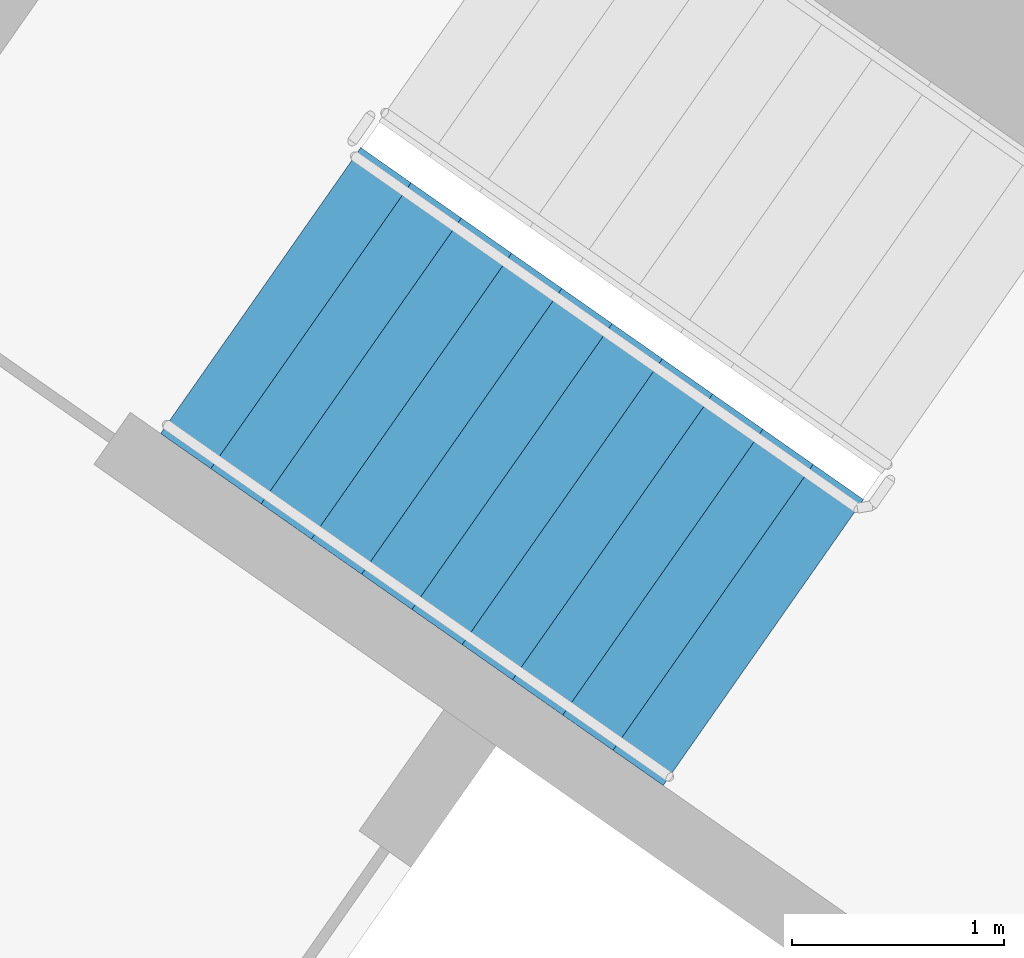
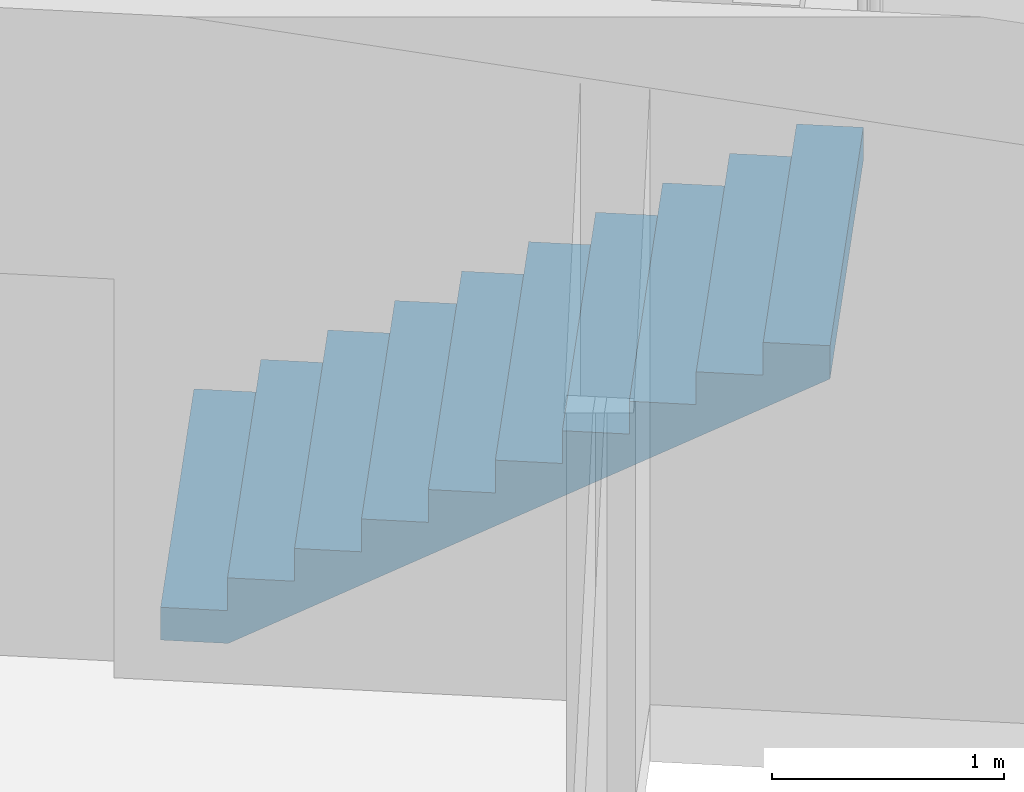
# One storey, part 13 of 26: 1 stair flight, 1 element without a shape of its own.
"""IFC4 building model written with IfcOpenShell, lengths in metres."""

import ifcopenshell
import ifcopenshell.guid

model = None  # the IFC model being written
_history = None  # IfcOwnerHistory: only IFC2X3 demands one
_inside = {}  # id of a spatial element -> (the spatial element, [elements in it])
_under = {}  # id of a project, library or spatial element -> (it, [spatial elements below it])
_declared = {}  # id of a project -> (the project, [libraries it declares])
_typed = {}  # id of a type object -> (the type object, [elements of that type])
_made_of = {}  # id of a material, layer set ... -> (it, [elements and type objects made of it])


def new_model(schema):
    """Start an empty IFC model of exactly this schema.

    Asked for "IFC4X3", IfcOpenShell would pick the latest addendum, in which some entities
    have other attributes; the version numbers below select the first issue.
    IFC2X3 requires an IfcOwnerHistory on every rooted entity: one is made here for all.
    """
    global model, _history
    if schema == "IFC4X3":
        model = ifcopenshell.file(schema_version=(4, 3, 0, 0))
    else:
        model = ifcopenshell.file(schema=schema)
    _inside.clear()
    _under.clear()
    _declared.clear()
    _typed.clear()
    _made_of.clear()
    _history = None
    if model.schema == "IFC2X3":
        org = make("IfcOrganization", Name="unknown")
        user = make(
            "IfcPersonAndOrganization",
            ThePerson=make("IfcPerson", FamilyName="unknown"),
            TheOrganization=org,
        )
        app = make(
            "IfcApplication",
            ApplicationDeveloper=org,
            Version="unknown",
            ApplicationFullName="unknown",
            ApplicationIdentifier="unknown",
        )
        _history = make(
            "IfcOwnerHistory",
            OwningUser=user,
            OwningApplication=app,
            ChangeAction="ADDED",
            CreationDate=0,
        )
    return model


def make(cls, **values):
    """One entity of the class cls with the attributes given. An attribute that is None is left unset."""
    return model.create_entity(
        cls, **{name: value for name, value in values.items() if value is not None}
    )


def rooted(cls, **values):
    """An entity with a GlobalId (a new one), such as an element, a storey or a relation."""
    return make(cls, GlobalId=ifcopenshell.guid.new(), OwnerHistory=_history, **values)


def si_unit(unit_type, name, prefix=None):
    """IfcSIUnit, for example si_unit("LENGTHUNIT", "METRE", prefix="MILLI")."""
    return make("IfcSIUnit", UnitType=unit_type, Prefix=prefix, Name=name)


def assignment(units):
    """IfcUnitAssignment: the units of a project."""
    return None if units is None else make("IfcUnitAssignment", Units=units)


def point(xyz):
    """IfcCartesianPoint."""
    return None if xyz is None else make("IfcCartesianPoint", Coordinates=xyz)


def direction(xyz):
    """IfcDirection."""
    return None if xyz is None else make("IfcDirection", DirectionRatios=xyz)


def frame(location, z_axis=None, x_axis=None):
    """IfcAxis2Placement3D, a coordinate frame: its origin and axes. An axis left out is left unset."""
    return make(
        "IfcAxis2Placement3D",
        Location=point(location),
        Axis=direction(z_axis),
        RefDirection=direction(x_axis),
    )


def origin():
    """The frame at (0, 0, 0) with its axes left unset."""
    return frame((0.0, 0.0, 0.0))


def place(relative_to, where):
    """IfcLocalPlacement: puts the frame where relative to a parent placement (None: the world)."""
    return make(
        "IfcLocalPlacement", PlacementRelTo=relative_to, RelativePlacement=where
    )


def context(
    kind, dimensions, precision=None, world=None, true_north=None, identifier=None
):
    """IfcGeometricRepresentationContext, for example the 3D "Model" context."""
    return make(
        "IfcGeometricRepresentationContext",
        ContextIdentifier=identifier,
        ContextType=kind,
        CoordinateSpaceDimension=dimensions,
        Precision=precision,
        WorldCoordinateSystem=world,
        TrueNorth=true_north,
    )


def subcontext(parent, identifier, kind, view, scale=None):
    """IfcGeometricRepresentationSubContext, for example "Body" below "Model"."""
    return make(
        "IfcGeometricRepresentationSubContext",
        ContextIdentifier=identifier,
        ContextType=kind,
        ParentContext=parent,
        TargetScale=scale,
        TargetView=view,
    )


def project(units=None, contexts=None):
    """IfcProject with its units and contexts."""
    return rooted(
        "IfcProject",
        Name="project",
        RepresentationContexts=contexts,
        UnitsInContext=assignment(units),
    )


def spatial(cls, under=None, at=None, **own):
    """A site, building, storey or space (cls), placed at a placement, below another one or the project."""
    s = rooted(cls, ObjectPlacement=at, **own)
    if under is not None:
        _under.setdefault(under.id(), (under, []))[1].append(s)
    return s


def faces_of(points, faces, orient=None, outer=None):
    """IfcFace entities. A face is a list of loops; a loop is a list of indices into points, from 0.

    orient and outer hold one flag for each loop. By default every Orientation is true, the
    first loop of a face is its IfcFaceOuterBound and the others are IfcFaceBound.
    """
    made = []
    for i, loops in enumerate(faces):
        bounds = []
        for j, loop in enumerate(loops):
            is_outer = j == 0 if outer is None else outer[i][j]
            bounds.append(
                make(
                    "IfcFaceOuterBound" if is_outer else "IfcFaceBound",
                    Bound=make("IfcPolyLoop", Polygon=[points[k] for k in loop]),
                    Orientation=True if orient is None else orient[i][j],
                )
            )
        made.append(make("IfcFace", Bounds=bounds))
    return made


def faceted_brep(points, faces, orient=None, outer=None, voids=None):
    """IfcFacetedBrep: a solid bounded by flat faces; with voids (closed shells), ...WithVoids."""
    shared = [point(p) for p in points]
    hull = make("IfcClosedShell", CfsFaces=faces_of(shared, faces, orient, outer))
    if voids is None:
        return make("IfcFacetedBrep", Outer=hull)
    return make(
        "IfcFacetedBrepWithVoids",
        Outer=hull,
        Voids=[
            make(cls, CfsFaces=faces_of(shared, fs, o, b)) for cls, fs, o, b in voids
        ],
    )


def shape(context_of_items, identifier, shape_type, items):
    """IfcShapeRepresentation: the items that make up one representation, for example the "Body"."""
    return make(
        "IfcShapeRepresentation",
        ContextOfItems=context_of_items,
        RepresentationIdentifier=identifier,
        RepresentationType=shape_type,
        Items=items,
    )


def material(Name=None, Category=None):
    """IfcMaterial."""
    return make("IfcMaterial", Name=Name, Category=Category)


def made_of(thing, what):
    """Note that an element or type object is made of a material, layer set ...; save() writes the relation."""
    if what is not None:
        _made_of.setdefault(what.id(), (what, []))[1].append(thing)
    return thing


def type_object(cls, material=None, **own):
    """A type object (cls), such as IfcWallType, which elements share."""
    return made_of(rooted(cls, **own), material)


def element(
    cls,
    number,
    at=None,
    inside=None,
    cuts=None,
    type_object=None,
    material=None,
    context=None,
    identifier="Body",
    shape_type=None,
    held_by="IfcProductDefinitionShape",
    body=None,
    shapes=None,
    **own,
):
    """One element of the class cls, such as IfcWall. Its Tag is "e" and its number.

    at: its placement. inside: the storey or other place that contains it. cuts: it is an
    opening in that element (IfcRelVoidsElement). A single representation is given by context,
    identifier, shape_type and body (its items); several are given by shapes. held_by: the class
    of the entity that holds the representations. save() writes the other relations.
    """
    e = rooted(cls, Tag="e%d" % number, ObjectPlacement=at, **own)
    if body is not None:
        shapes = [shape(context, identifier, shape_type, body)]
    if shapes is not None:
        e.Representation = make(held_by, Representations=shapes)
    if inside is not None:
        _inside.setdefault(inside.id(), (inside, []))[1].append(e)
    if cuts is not None:
        rooted(
            "IfcRelVoidsElement", RelatingBuildingElement=cuts, RelatedOpeningElement=e
        )
    if type_object is not None:
        _typed.setdefault(type_object.id(), (type_object, []))[1].append(e)
    return made_of(e, material)


def aggregate(whole, parts):
    """IfcRelAggregates: a whole, such as a stair, and the parts it consists of."""
    return rooted("IfcRelAggregates", RelatingObject=whole, RelatedObjects=parts)


def save(model, path):
    """Write the relations noted so far, then the file.

    IfcRelAggregates (storeys below a building ...), IfcRelContainedInSpatialStructure (elements
    in a storey), IfcRelDefinesByType, IfcRelAssociatesMaterial and IfcRelDeclares: one each for
    every whole, place, type object, material and project.
    """
    for whole, parts in _under.values():
        aggregate(whole, parts)
    for where, things in _inside.values():
        rooted(
            "IfcRelContainedInSpatialStructure",
            RelatedElements=things,
            RelatingStructure=where,
        )
    for kind, things in _typed.values():
        rooted("IfcRelDefinesByType", RelatedObjects=things, RelatingType=kind)
    for what, things in _made_of.values():
        rooted("IfcRelAssociatesMaterial", RelatedObjects=things, RelatingMaterial=what)
    for by, libraries in _declared.values():
        rooted("IfcRelDeclares", RelatingContext=by, RelatedDefinitions=libraries)
    model.write(path)


model = new_model("IFC4")

# Units and contexts
model_context = context("Model", 3, precision=1e-05, world=origin(), true_north=direction((0.0, 1.0)))
body_context = subcontext(model_context, "Body", "Model", "MODEL_VIEW")
ifc_project = project(units=[si_unit("LENGTHUNIT", "METRE"), si_unit("AREAUNIT", "SQUARE_METRE"), si_unit("VOLUMEUNIT", "CUBIC_METRE"), si_unit("PLANEANGLEUNIT", "RADIAN"), si_unit("MASSUNIT", "GRAM", prefix="KILO")], contexts=[model_context])

# Site, building, storey
site_placement = place(None, origin())
site = spatial("IfcSite", under=ifc_project, at=site_placement, CompositionType="ELEMENT")
building_placement = place(site_placement, origin())
building = spatial("IfcBuilding", under=site, at=building_placement, Name="Qamariyya Broadcast Tower", CompositionType="ELEMENT")
storey_placement = place(building_placement, frame((0.0, 0.0, 183.5)))
storey = spatial("IfcBuildingStorey", under=building, at=storey_placement, Name="L43", CompositionType="ELEMENT", Elevation=183.5)

# Stair, stair flight
ifc_material = material(Name="Concrete C50/60", Category="concrete")
stair_type = type_object("IfcStairType", Name="Exit stair 22 risers of 173 mm", PredefinedType="HALF_TURN_STAIR", material=ifc_material)
stair_placement = place(storey_placement, origin())
stair = element("IfcStair", 1, at=stair_placement, inside=storey, type_object=stair_type, Name="L43 Stair W2", PredefinedType="HALF_TURN_STAIR")
stair_flight_type = type_object("IfcStairFlightType", Name="Exit stair flight 11 risers of 173 mm", PredefinedType="STRAIGHT", material=ifc_material)
stair_flight_placement = place(storey_placement, frame((-41.59130859375, -49.15966796875, 0.0), z_axis=(0.0, 0.0, 1.0), x_axis=(0.819152044289, -0.573576436351, 0.0)))
stair_flight = element("IfcStairFlight", 2, at=stair_flight_placement, type_object=stair_flight_type, Name="ST-W2 flight 1", NumberOfRisers=11, NumberOfTreads=10, PredefinedType="STRAIGHT", RiserHeight=0.172727273, TreadLength=0.29, context=body_context, shape_type="Brep", body=[
    faceted_brep([(0.0, 0.824951171875, 0.0), (0.0, 0.824951171875, 0.172607421875), (0.2900390625, 0.824951171875, 0.172607421875), (0.2900390625, 0.824951171875, 0.345458984375), (0.580078125, 0.824951171875, 0.345458984375), (0.580078125, 0.824951171875, 0.51806640625), (0.8701171875, 0.824951171875, 0.51806640625), (0.8701171875, 0.824951171875, 0.69091796875), (1.159912109375, 0.824951171875, 0.69091796875), (1.159912109375, 0.824951171875, 0.863525390625), (1.449951171875, 0.824951171875, 0.863525390625), (1.449951171875, 0.824951171875, 1.036376953125), (1.739990234375, 0.824951171875, 1.036376953125), (1.739990234375, 0.824951171875, 1.208984375), (2.030029296875, 0.824951171875, 1.208984375), (2.030029296875, 0.824951171875, 1.3818359375), (2.320068359375, 0.824951171875, 1.3818359375), (2.320068359375, 0.824951171875, 1.554443359375), (2.610107421875, 0.824951171875, 1.554443359375), (2.610107421875, 0.824951171875, 1.727294921875), (2.89990234375, 0.824951171875, 1.727294921875), (2.89990234375, 0.824951171875, 1.552734375), (0.29296875, 0.824951171875, 0.0), (0.29296875, -0.824951171875, 0.0), (2.89990234375, -0.824951171875, 1.552734375), (2.89990234375, -0.824951171875, 1.727294921875), (2.610107421875, -0.824951171875, 1.727294921875), (2.610107421875, -0.824951171875, 1.554443359375), (2.320068359375, -0.824951171875, 1.554443359375), (2.320068359375, -0.824951171875, 1.3818359375), (2.030029296875, -0.824951171875, 1.3818359375), (2.030029296875, -0.824951171875, 1.208984375), (1.739990234375, -0.824951171875, 1.208984375), (1.739990234375, -0.824951171875, 1.036376953125), (1.449951171875, -0.824951171875, 1.036376953125), (1.449951171875, -0.824951171875, 0.863525390625), (1.159912109375, -0.824951171875, 0.863525390625), (1.159912109375, -0.824951171875, 0.69091796875), (0.8701171875, -0.824951171875, 0.69091796875), (0.8701171875, -0.824951171875, 0.51806640625), (0.580078125, -0.824951171875, 0.51806640625), (0.580078125, -0.824951171875, 0.345458984375), (0.2900390625, -0.824951171875, 0.345458984375), (0.2900390625, -0.824951171875, 0.172607421875), (0.0, -0.824951171875, 0.172607421875), (0.0, -0.824951171875, 0.0), (0.0, 0.10009765625, 0.0), (0.0, 0.086669921875, 0.0), (0.0, 0.0732421875, 0.0), (0.0, 0.06005859375, 0.0), (0.0, 0.046630859375, 0.0), (0.0, 0.033447265625, 0.0), (0.0, 0.02001953125, 0.0), (0.0, 0.006591796875, 0.0), (0.0, -0.006591796875, 0.0), (0.0, -0.02001953125, 0.0), (0.0, -0.033447265625, 0.0), (0.0, -0.046630859375, 0.0), (0.0, -0.06005859375, 0.0), (0.0, -0.0732421875, 0.0), (0.0, -0.086669921875, 0.0), (0.0, -0.10009765625, 0.0), (0.0, -0.10009765625, 0.172607421875), (0.0, -0.086669921875, 0.172607421875), (0.0, -0.0732421875, 0.172607421875), (0.0, -0.06005859375, 0.172607421875), (0.0, -0.046630859375, 0.172607421875), (0.0, -0.033447265625, 0.172607421875), (0.0, -0.02001953125, 0.172607421875), (0.0, -0.006591796875, 0.172607421875), (0.0, 0.006591796875, 0.172607421875), (0.0, 0.02001953125, 0.172607421875), (0.0, 0.033447265625, 0.172607421875), (0.0, 0.046630859375, 0.172607421875), (0.0, 0.06005859375, 0.172607421875), (0.0, 0.0732421875, 0.172607421875), (0.0, 0.086669921875, 0.172607421875), (0.0, 0.10009765625, 0.172607421875), (0.2900390625, -0.10009765625, 0.172607421875), (0.2900390625, -0.086669921875, 0.172607421875), (0.2900390625, -0.0732421875, 0.172607421875), (0.2900390625, -0.06005859375, 0.172607421875), (0.2900390625, -0.046630859375, 0.172607421875), (0.2900390625, -0.033447265625, 0.172607421875), (0.2900390625, -0.02001953125, 0.172607421875), (0.2900390625, -0.006591796875, 0.172607421875), (0.2900390625, 0.006591796875, 0.172607421875), (0.2900390625, 0.02001953125, 0.172607421875), (0.2900390625, 0.033447265625, 0.172607421875), (0.2900390625, 0.046630859375, 0.172607421875), (0.2900390625, 0.06005859375, 0.172607421875), (0.2900390625, 0.0732421875, 0.172607421875), (0.2900390625, 0.086669921875, 0.172607421875), (0.2900390625, 0.10009765625, 0.172607421875), (0.2900390625, -0.10009765625, 0.345458984375), (0.2900390625, -0.086669921875, 0.345458984375), (0.2900390625, -0.0732421875, 0.345458984375), (0.2900390625, -0.06005859375, 0.345458984375), (0.2900390625, -0.046630859375, 0.345458984375), (0.2900390625, -0.033447265625, 0.345458984375), (0.2900390625, -0.02001953125, 0.345458984375), (0.2900390625, -0.006591796875, 0.345458984375), (0.2900390625, 0.006591796875, 0.345458984375), (0.2900390625, 0.02001953125, 0.345458984375), (0.2900390625, 0.033447265625, 0.345458984375), (0.2900390625, 0.046630859375, 0.345458984375), (0.2900390625, 0.06005859375, 0.345458984375), (0.2900390625, 0.0732421875, 0.345458984375), (0.2900390625, 0.086669921875, 0.345458984375), (0.2900390625, 0.10009765625, 0.345458984375), (0.580078125, -0.10009765625, 0.345458984375), (0.580078125, -0.086669921875, 0.345458984375), (0.580078125, -0.0732421875, 0.345458984375), (0.580078125, -0.06005859375, 0.345458984375), (0.580078125, -0.046630859375, 0.345458984375), (0.580078125, -0.033447265625, 0.345458984375), (0.580078125, -0.02001953125, 0.345458984375), (0.580078125, -0.006591796875, 0.345458984375), (0.580078125, 0.006591796875, 0.345458984375), (0.580078125, 0.02001953125, 0.345458984375), (0.580078125, 0.033447265625, 0.345458984375), (0.580078125, 0.046630859375, 0.345458984375), (0.580078125, 0.06005859375, 0.345458984375), (0.580078125, 0.0732421875, 0.345458984375), (0.580078125, 0.086669921875, 0.345458984375), (0.580078125, 0.10009765625, 0.345458984375), (0.580078125, -0.10009765625, 0.51806640625), (0.580078125, -0.086669921875, 0.51806640625), (0.580078125, -0.0732421875, 0.51806640625), (0.580078125, -0.06005859375, 0.51806640625), (0.580078125, -0.046630859375, 0.51806640625), (0.580078125, -0.033447265625, 0.51806640625), (0.580078125, -0.02001953125, 0.51806640625), (0.580078125, -0.006591796875, 0.51806640625), (0.580078125, 0.006591796875, 0.51806640625), (0.580078125, 0.02001953125, 0.51806640625), (0.580078125, 0.033447265625, 0.51806640625), (0.580078125, 0.046630859375, 0.51806640625), (0.580078125, 0.06005859375, 0.51806640625), (0.580078125, 0.0732421875, 0.51806640625), (0.580078125, 0.086669921875, 0.51806640625), (0.580078125, 0.10009765625, 0.51806640625), (0.8701171875, -0.10009765625, 0.51806640625), (0.8701171875, -0.086669921875, 0.51806640625), (0.8701171875, -0.0732421875, 0.51806640625), (0.8701171875, -0.06005859375, 0.51806640625), (0.8701171875, -0.046630859375, 0.51806640625), (0.8701171875, -0.033447265625, 0.51806640625), (0.8701171875, -0.02001953125, 0.51806640625), (0.8701171875, -0.006591796875, 0.51806640625), (0.8701171875, 0.006591796875, 0.51806640625), (0.8701171875, 0.02001953125, 0.51806640625), (0.8701171875, 0.033447265625, 0.51806640625), (0.8701171875, 0.046630859375, 0.51806640625), (0.8701171875, 0.06005859375, 0.51806640625), (0.8701171875, 0.0732421875, 0.51806640625), (0.8701171875, 0.086669921875, 0.51806640625), (0.8701171875, 0.10009765625, 0.51806640625), (0.8701171875, -0.10009765625, 0.69091796875), (0.8701171875, -0.086669921875, 0.69091796875), (0.8701171875, -0.0732421875, 0.69091796875), (0.8701171875, -0.06005859375, 0.69091796875), (0.8701171875, -0.046630859375, 0.69091796875), (0.8701171875, -0.033447265625, 0.69091796875), (0.8701171875, -0.02001953125, 0.69091796875), (0.8701171875, -0.006591796875, 0.69091796875), (0.8701171875, 0.006591796875, 0.69091796875), (0.8701171875, 0.02001953125, 0.69091796875), (0.8701171875, 0.033447265625, 0.69091796875), (0.8701171875, 0.046630859375, 0.69091796875), (0.8701171875, 0.06005859375, 0.69091796875), (0.8701171875, 0.0732421875, 0.69091796875), (0.8701171875, 0.086669921875, 0.69091796875), (0.8701171875, 0.10009765625, 0.69091796875), (1.159912109375, -0.10009765625, 0.69091796875), (1.159912109375, -0.086669921875, 0.69091796875), (1.159912109375, -0.0732421875, 0.69091796875), (1.159912109375, -0.06005859375, 0.69091796875), (1.159912109375, -0.046630859375, 0.69091796875), (1.159912109375, -0.033447265625, 0.69091796875), (1.159912109375, -0.02001953125, 0.69091796875), (1.159912109375, -0.006591796875, 0.69091796875), (1.159912109375, 0.006591796875, 0.69091796875), (1.159912109375, 0.02001953125, 0.69091796875), (1.159912109375, 0.033447265625, 0.69091796875), (1.159912109375, 0.046630859375, 0.69091796875), (1.159912109375, 0.06005859375, 0.69091796875), (1.159912109375, 0.0732421875, 0.69091796875), (1.159912109375, 0.086669921875, 0.69091796875), (1.159912109375, 0.10009765625, 0.69091796875), (1.159912109375, -0.10009765625, 0.863525390625), (1.159912109375, -0.086669921875, 0.863525390625), (1.159912109375, -0.0732421875, 0.863525390625), (1.159912109375, -0.06005859375, 0.863525390625), (1.159912109375, -0.046630859375, 0.863525390625), (1.159912109375, -0.033447265625, 0.863525390625), (1.159912109375, -0.02001953125, 0.863525390625), (1.159912109375, -0.006591796875, 0.863525390625), (1.159912109375, 0.006591796875, 0.863525390625), (1.159912109375, 0.02001953125, 0.863525390625), (1.159912109375, 0.033447265625, 0.863525390625), (1.159912109375, 0.046630859375, 0.863525390625), (1.159912109375, 0.06005859375, 0.863525390625), (1.159912109375, 0.0732421875, 0.863525390625), (1.159912109375, 0.086669921875, 0.863525390625), (1.159912109375, 0.10009765625, 0.863525390625), (1.449951171875, -0.10009765625, 0.863525390625), (1.449951171875, -0.086669921875, 0.863525390625), (1.449951171875, -0.0732421875, 0.863525390625), (1.449951171875, -0.06005859375, 0.863525390625), (1.449951171875, -0.046630859375, 0.863525390625), (1.449951171875, -0.033447265625, 0.863525390625), (1.449951171875, -0.02001953125, 0.863525390625), (1.449951171875, -0.006591796875, 0.863525390625), (1.449951171875, 0.006591796875, 0.863525390625), (1.449951171875, 0.02001953125, 0.863525390625), (1.449951171875, 0.033447265625, 0.863525390625), (1.449951171875, 0.046630859375, 0.863525390625), (1.449951171875, 0.06005859375, 0.863525390625), (1.449951171875, 0.0732421875, 0.863525390625), (1.449951171875, 0.086669921875, 0.863525390625), (1.449951171875, 0.10009765625, 0.863525390625), (1.449951171875, -0.10009765625, 1.036376953125), (1.449951171875, -0.086669921875, 1.036376953125), (1.449951171875, -0.0732421875, 1.036376953125), (1.449951171875, -0.06005859375, 1.036376953125), (1.449951171875, -0.046630859375, 1.036376953125), (1.449951171875, -0.033447265625, 1.036376953125), (1.449951171875, -0.02001953125, 1.036376953125), (1.449951171875, -0.006591796875, 1.036376953125), (1.449951171875, 0.006591796875, 1.036376953125), (1.449951171875, 0.02001953125, 1.036376953125), (1.449951171875, 0.033447265625, 1.036376953125), (1.449951171875, 0.046630859375, 1.036376953125), (1.449951171875, 0.06005859375, 1.036376953125), (1.449951171875, 0.0732421875, 1.036376953125), (1.449951171875, 0.086669921875, 1.036376953125), (1.449951171875, 0.10009765625, 1.036376953125), (1.739990234375, -0.10009765625, 1.036376953125), (1.739990234375, -0.086669921875, 1.036376953125), (1.739990234375, -0.0732421875, 1.036376953125), (1.739990234375, -0.06005859375, 1.036376953125), (1.739990234375, -0.046630859375, 1.036376953125), (1.739990234375, -0.033447265625, 1.036376953125), (1.739990234375, -0.02001953125, 1.036376953125), (1.739990234375, -0.006591796875, 1.036376953125), (1.739990234375, 0.006591796875, 1.036376953125), (1.739990234375, 0.02001953125, 1.036376953125), (1.739990234375, 0.033447265625, 1.036376953125), (1.739990234375, 0.046630859375, 1.036376953125), (1.739990234375, 0.06005859375, 1.036376953125), (1.739990234375, 0.0732421875, 1.036376953125), (1.739990234375, 0.086669921875, 1.036376953125), (1.739990234375, 0.10009765625, 1.036376953125), (1.739990234375, -0.10009765625, 1.208984375), (1.739990234375, -0.086669921875, 1.208984375), (1.739990234375, -0.0732421875, 1.208984375), (1.739990234375, -0.06005859375, 1.208984375), (1.739990234375, -0.046630859375, 1.208984375), (1.739990234375, -0.033447265625, 1.208984375), (1.739990234375, -0.02001953125, 1.208984375), (1.739990234375, -0.006591796875, 1.208984375), (1.739990234375, 0.006591796875, 1.208984375), (1.739990234375, 0.02001953125, 1.208984375), (1.739990234375, 0.033447265625, 1.208984375), (1.739990234375, 0.046630859375, 1.208984375), (1.739990234375, 0.06005859375, 1.208984375), (1.739990234375, 0.0732421875, 1.208984375), (1.739990234375, 0.086669921875, 1.208984375), (1.739990234375, 0.10009765625, 1.208984375), (2.030029296875, -0.10009765625, 1.208984375), (2.030029296875, -0.086669921875, 1.208984375), (2.030029296875, -0.0732421875, 1.208984375), (2.030029296875, -0.06005859375, 1.208984375), (2.030029296875, -0.046630859375, 1.208984375), (2.030029296875, -0.033447265625, 1.208984375), (2.030029296875, -0.02001953125, 1.208984375), (2.030029296875, -0.006591796875, 1.208984375), (2.030029296875, 0.006591796875, 1.208984375), (2.030029296875, 0.02001953125, 1.208984375), (2.030029296875, 0.033447265625, 1.208984375), (2.030029296875, 0.046630859375, 1.208984375), (2.030029296875, 0.06005859375, 1.208984375), (2.030029296875, 0.0732421875, 1.208984375), (2.030029296875, 0.086669921875, 1.208984375), (2.030029296875, 0.10009765625, 1.208984375), (2.030029296875, -0.10009765625, 1.3818359375), (2.030029296875, -0.086669921875, 1.3818359375), (2.030029296875, -0.0732421875, 1.3818359375), (2.030029296875, -0.06005859375, 1.3818359375), (2.030029296875, -0.046630859375, 1.3818359375), (2.030029296875, -0.033447265625, 1.3818359375), (2.030029296875, -0.02001953125, 1.3818359375), (2.030029296875, -0.006591796875, 1.3818359375), (2.030029296875, 0.006591796875, 1.3818359375), (2.030029296875, 0.02001953125, 1.3818359375), (2.030029296875, 0.033447265625, 1.3818359375), (2.030029296875, 0.046630859375, 1.3818359375), (2.030029296875, 0.06005859375, 1.3818359375), (2.030029296875, 0.0732421875, 1.3818359375), (2.030029296875, 0.086669921875, 1.3818359375), (2.030029296875, 0.10009765625, 1.3818359375), (2.320068359375, -0.10009765625, 1.3818359375), (2.320068359375, -0.086669921875, 1.3818359375), (2.320068359375, -0.0732421875, 1.3818359375), (2.320068359375, -0.06005859375, 1.3818359375), (2.320068359375, -0.046630859375, 1.3818359375), (2.320068359375, -0.033447265625, 1.3818359375), (2.320068359375, -0.02001953125, 1.3818359375), (2.320068359375, -0.006591796875, 1.3818359375), (2.320068359375, 0.006591796875, 1.3818359375), (2.320068359375, 0.02001953125, 1.3818359375), (2.320068359375, 0.033447265625, 1.3818359375), (2.320068359375, 0.046630859375, 1.3818359375), (2.320068359375, 0.06005859375, 1.3818359375), (2.320068359375, 0.0732421875, 1.3818359375), (2.320068359375, 0.086669921875, 1.3818359375), (2.320068359375, 0.10009765625, 1.3818359375), (2.320068359375, -0.10009765625, 1.554443359375), (2.320068359375, -0.086669921875, 1.554443359375), (2.320068359375, -0.0732421875, 1.554443359375), (2.320068359375, -0.06005859375, 1.554443359375), (2.320068359375, -0.046630859375, 1.554443359375), (2.320068359375, -0.033447265625, 1.554443359375), (2.320068359375, -0.02001953125, 1.554443359375), (2.320068359375, -0.006591796875, 1.554443359375), (2.320068359375, 0.006591796875, 1.554443359375), (2.320068359375, 0.02001953125, 1.554443359375), (2.320068359375, 0.033447265625, 1.554443359375), (2.320068359375, 0.046630859375, 1.554443359375), (2.320068359375, 0.06005859375, 1.554443359375), (2.320068359375, 0.0732421875, 1.554443359375), (2.320068359375, 0.086669921875, 1.554443359375), (2.320068359375, 0.10009765625, 1.554443359375), (2.610107421875, -0.10009765625, 1.554443359375), (2.610107421875, -0.086669921875, 1.554443359375), (2.610107421875, -0.0732421875, 1.554443359375), (2.610107421875, -0.06005859375, 1.554443359375), (2.610107421875, -0.046630859375, 1.554443359375), (2.610107421875, -0.033447265625, 1.554443359375), (2.610107421875, -0.02001953125, 1.554443359375), (2.610107421875, -0.006591796875, 1.554443359375), (2.610107421875, 0.006591796875, 1.554443359375), (2.610107421875, 0.02001953125, 1.554443359375), (2.610107421875, 0.033447265625, 1.554443359375), (2.610107421875, 0.046630859375, 1.554443359375), (2.610107421875, 0.06005859375, 1.554443359375), (2.610107421875, 0.0732421875, 1.554443359375), (2.610107421875, 0.086669921875, 1.554443359375), (2.610107421875, 0.10009765625, 1.554443359375), (2.610107421875, -0.10009765625, 1.727294921875), (2.610107421875, -0.086669921875, 1.727294921875), (2.610107421875, -0.0732421875, 1.727294921875), (2.610107421875, -0.06005859375, 1.727294921875), (2.610107421875, -0.046630859375, 1.727294921875), (2.610107421875, -0.033447265625, 1.727294921875), (2.610107421875, -0.02001953125, 1.727294921875), (2.610107421875, -0.006591796875, 1.727294921875), (2.610107421875, 0.006591796875, 1.727294921875), (2.610107421875, 0.02001953125, 1.727294921875), (2.610107421875, 0.033447265625, 1.727294921875), (2.610107421875, 0.046630859375, 1.727294921875), (2.610107421875, 0.06005859375, 1.727294921875), (2.610107421875, 0.0732421875, 1.727294921875), (2.610107421875, 0.086669921875, 1.727294921875), (2.610107421875, 0.10009765625, 1.727294921875), (2.89990234375, -0.10009765625, 1.727294921875), (2.89990234375, -0.086669921875, 1.727294921875), (2.89990234375, -0.0732421875, 1.727294921875), (2.89990234375, -0.06005859375, 1.727294921875), (2.89990234375, -0.046630859375, 1.727294921875), (2.89990234375, -0.033447265625, 1.727294921875), (2.89990234375, -0.02001953125, 1.727294921875), (2.89990234375, -0.006591796875, 1.727294921875), (2.89990234375, 0.006591796875, 1.727294921875), (2.89990234375, 0.02001953125, 1.727294921875), (2.89990234375, 0.033447265625, 1.727294921875), (2.89990234375, 0.046630859375, 1.727294921875), (2.89990234375, 0.06005859375, 1.727294921875), (2.89990234375, 0.0732421875, 1.727294921875), (2.89990234375, 0.086669921875, 1.727294921875), (2.89990234375, 0.10009765625, 1.727294921875), (2.89990234375, -0.10009765625, 1.552734375), (2.89990234375, -0.086669921875, 1.552734375), (2.89990234375, -0.0732421875, 1.552734375), (2.89990234375, -0.06005859375, 1.552734375), (2.89990234375, -0.046630859375, 1.552734375), (2.89990234375, -0.033447265625, 1.552734375), (2.89990234375, -0.02001953125, 1.552734375), (2.89990234375, -0.006591796875, 1.552734375), (2.89990234375, 0.006591796875, 1.552734375), (2.89990234375, 0.02001953125, 1.552734375), (2.89990234375, 0.033447265625, 1.552734375), (2.89990234375, 0.046630859375, 1.552734375), (2.89990234375, 0.06005859375, 1.552734375), (2.89990234375, 0.0732421875, 1.552734375), (2.89990234375, 0.086669921875, 1.552734375), (2.89990234375, 0.10009765625, 1.552734375), (0.29296875, -0.10009765625, 0.0), (0.29296875, -0.086669921875, 0.0), (0.29296875, -0.0732421875, 0.0), (0.29296875, -0.06005859375, 0.0), (0.29296875, -0.046630859375, 0.0), (0.29296875, -0.033447265625, 0.0), (0.29296875, -0.02001953125, 0.0), (0.29296875, -0.006591796875, 0.0), (0.29296875, 0.006591796875, 0.0), (0.29296875, 0.02001953125, 0.0), (0.29296875, 0.033447265625, 0.0), (0.29296875, 0.046630859375, 0.0), (0.29296875, 0.06005859375, 0.0), (0.29296875, 0.0732421875, 0.0), (0.29296875, 0.086669921875, 0.0), (0.29296875, 0.10009765625, 0.0)], [[[0, 1, 2, 3, 4, 5, 6, 7, 8, 9, 10, 11, 12, 13, 14, 15, 16, 17, 18, 19, 20, 21, 22]], [[23, 24, 25, 26, 27, 28, 29, 30, 31, 32, 33, 34, 35, 36, 37, 38, 39, 40, 41, 42, 43, 44, 45]], [[0, 46, 47, 48, 49, 50, 51, 52, 53, 54, 55, 56, 57, 58, 59, 60, 61, 45, 44, 62, 63, 64, 65, 66, 67, 68, 69, 70, 71, 72, 73, 74, 75, 76, 77, 1]], [[1, 77, 76, 75, 74, 73, 72, 71, 70, 69, 68, 67, 66, 65, 64, 63, 62, 44, 43, 78, 79, 80, 81, 82, 83, 84, 85, 86, 87, 88, 89, 90, 91, 92, 93, 2]], [[2, 93, 92, 91, 90, 89, 88, 87, 86, 85, 84, 83, 82, 81, 80, 79, 78, 43, 42, 94, 95, 96, 97, 98, 99, 100, 101, 102, 103, 104, 105, 106, 107, 108, 109, 3]], [[3, 109, 108, 107, 106, 105, 104, 103, 102, 101, 100, 99, 98, 97, 96, 95, 94, 42, 41, 110, 111, 112, 113, 114, 115, 116, 117, 118, 119, 120, 121, 122, 123, 124, 125, 4]], [[4, 125, 124, 123, 122, 121, 120, 119, 118, 117, 116, 115, 114, 113, 112, 111, 110, 41, 40, 126, 127, 128, 129, 130, 131, 132, 133, 134, 135, 136, 137, 138, 139, 140, 141, 5]], [[5, 141, 140, 139, 138, 137, 136, 135, 134, 133, 132, 131, 130, 129, 128, 127, 126, 40, 39, 142, 143, 144, 145, 146, 147, 148, 149, 150, 151, 152, 153, 154, 155, 156, 157, 6]], [[6, 157, 156, 155, 154, 153, 152, 151, 150, 149, 148, 147, 146, 145, 144, 143, 142, 39, 38, 158, 159, 160, 161, 162, 163, 164, 165, 166, 167, 168, 169, 170, 171, 172, 173, 7]], [[7, 173, 172, 171, 170, 169, 168, 167, 166, 165, 164, 163, 162, 161, 160, 159, 158, 38, 37, 174, 175, 176, 177, 178, 179, 180, 181, 182, 183, 184, 185, 186, 187, 188, 189, 8]], [[8, 189, 188, 187, 186, 185, 184, 183, 182, 181, 180, 179, 178, 177, 176, 175, 174, 37, 36, 190, 191, 192, 193, 194, 195, 196, 197, 198, 199, 200, 201, 202, 203, 204, 205, 9]], [[9, 205, 204, 203, 202, 201, 200, 199, 198, 197, 196, 195, 194, 193, 192, 191, 190, 36, 35, 206, 207, 208, 209, 210, 211, 212, 213, 214, 215, 216, 217, 218, 219, 220, 221, 10]], [[10, 221, 220, 219, 218, 217, 216, 215, 214, 213, 212, 211, 210, 209, 208, 207, 206, 35, 34, 222, 223, 224, 225, 226, 227, 228, 229, 230, 231, 232, 233, 234, 235, 236, 237, 11]], [[11, 237, 236, 235, 234, 233, 232, 231, 230, 229, 228, 227, 226, 225, 224, 223, 222, 34, 33, 238, 239, 240, 241, 242, 243, 244, 245, 246, 247, 248, 249, 250, 251, 252, 253, 12]], [[12, 253, 252, 251, 250, 249, 248, 247, 246, 245, 244, 243, 242, 241, 240, 239, 238, 33, 32, 254, 255, 256, 257, 258, 259, 260, 261, 262, 263, 264, 265, 266, 267, 268, 269, 13]], [[13, 269, 268, 267, 266, 265, 264, 263, 262, 261, 260, 259, 258, 257, 256, 255, 254, 32, 31, 270, 271, 272, 273, 274, 275, 276, 277, 278, 279, 280, 281, 282, 283, 284, 285, 14]], [[14, 285, 284, 283, 282, 281, 280, 279, 278, 277, 276, 275, 274, 273, 272, 271, 270, 31, 30, 286, 287, 288, 289, 290, 291, 292, 293, 294, 295, 296, 297, 298, 299, 300, 301, 15]], [[15, 301, 300, 299, 298, 297, 296, 295, 294, 293, 292, 291, 290, 289, 288, 287, 286, 30, 29, 302, 303, 304, 305, 306, 307, 308, 309, 310, 311, 312, 313, 314, 315, 316, 317, 16]], [[16, 317, 316, 315, 314, 313, 312, 311, 310, 309, 308, 307, 306, 305, 304, 303, 302, 29, 28, 318, 319, 320, 321, 322, 323, 324, 325, 326, 327, 328, 329, 330, 331, 332, 333, 17]], [[17, 333, 332, 331, 330, 329, 328, 327, 326, 325, 324, 323, 322, 321, 320, 319, 318, 28, 27, 334, 335, 336, 337, 338, 339, 340, 341, 342, 343, 344, 345, 346, 347, 348, 349, 18]], [[18, 349, 348, 347, 346, 345, 344, 343, 342, 341, 340, 339, 338, 337, 336, 335, 334, 27, 26, 350, 351, 352, 353, 354, 355, 356, 357, 358, 359, 360, 361, 362, 363, 364, 365, 19]], [[19, 365, 364, 363, 362, 361, 360, 359, 358, 357, 356, 355, 354, 353, 352, 351, 350, 26, 25, 366, 367, 368, 369, 370, 371, 372, 373, 374, 375, 376, 377, 378, 379, 380, 381, 20]], [[20, 381, 380, 379, 378, 377, 376, 375, 374, 373, 372, 371, 370, 369, 368, 367, 366, 25, 24, 382, 383, 384, 385, 386, 387, 388, 389, 390, 391, 392, 393, 394, 395, 396, 397, 21]], [[21, 397, 396, 395, 394, 393, 392, 391, 390, 389, 388, 387, 386, 385, 384, 383, 382, 24, 23, 398, 399, 400, 401, 402, 403, 404, 405, 406, 407, 408, 409, 410, 411, 412, 413, 22]], [[22, 413, 412, 411, 410, 409, 408, 407, 406, 405, 404, 403, 402, 401, 400, 399, 398, 23, 45, 61, 60, 59, 58, 57, 56, 55, 54, 53, 52, 51, 50, 49, 48, 47, 46, 0]]]),
])
aggregate(stair, [stair_flight])

save(model, "model.ifc")
